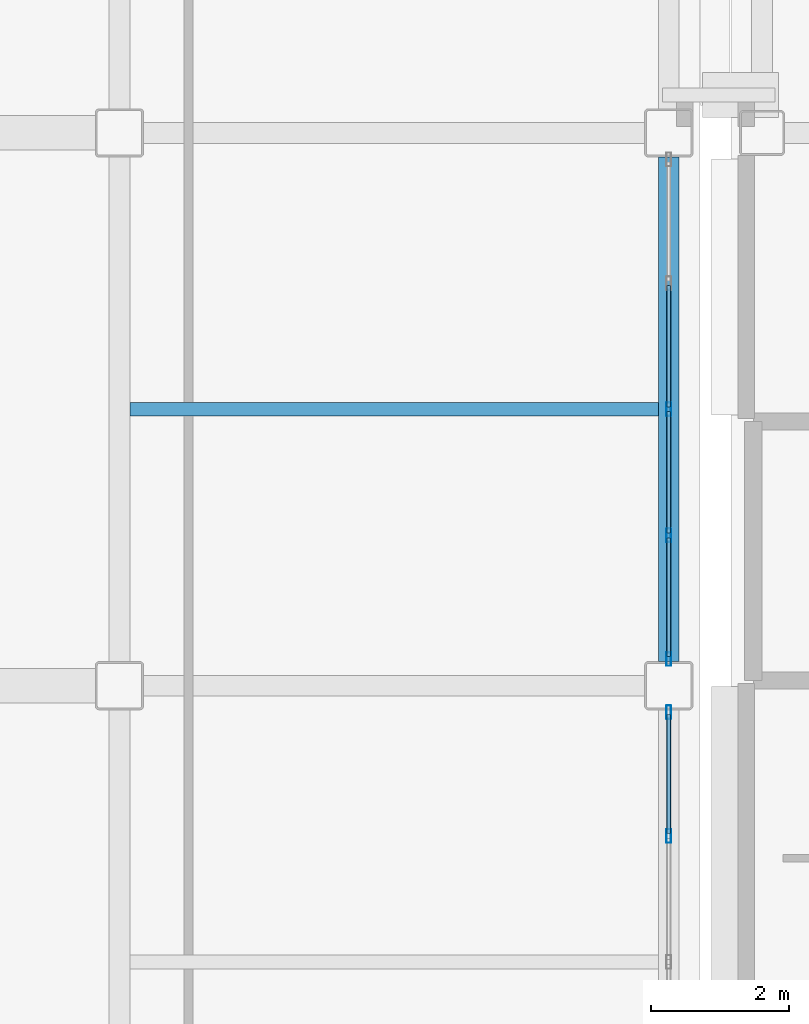
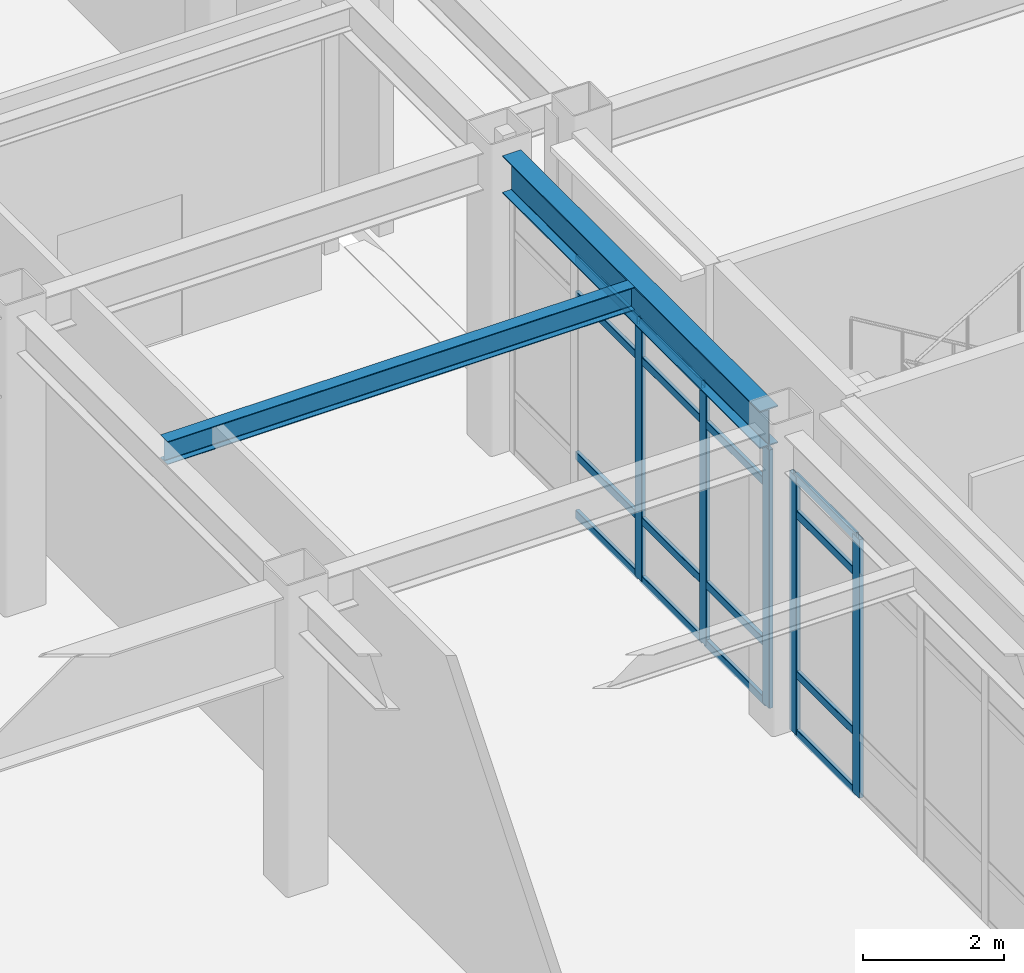
# One storey, part 18 of 165: 21 members, 2 beams, 2 elements without a shape of their own.
"""IFC4 building model written with IfcOpenShell, lengths in metres."""

from ifc_helpers import new_model, si_unit, direction, frame, origin, origin_2d, place, context, subcontext, project, spatial, hollow_rectangle, i_section, extrude, material, layer, layer_set, material_profile, profile_set, type_object, element, aggregate, save


model = new_model("IFC4")

# Units and contexts
model_context = context("Model", 3, precision=1e-05, world=origin(), true_north=direction((0.0, 1.0)))
body_context = subcontext(model_context, "Body", "Model", "MODEL_VIEW")
ifc_project = project(units=[si_unit("LENGTHUNIT", "METRE"), si_unit("AREAUNIT", "SQUARE_METRE"), si_unit("VOLUMEUNIT", "CUBIC_METRE"), si_unit("PLANEANGLEUNIT", "RADIAN"), si_unit("MASSUNIT", "GRAM", prefix="KILO")], contexts=[model_context])

# Site, building, storey
site_placement = place(None, origin())
site = spatial("IfcSite", under=ifc_project, at=site_placement, CompositionType="ELEMENT")
building_placement = place(site_placement, origin())
building = spatial("IfcBuilding", under=site, at=building_placement, Name="Kazehara Bluff Congress Hotel", CompositionType="ELEMENT")
storey_placement = place(building_placement, origin())
storey = spatial("IfcBuildingStorey", under=building, at=storey_placement, Name="L00", CompositionType="ELEMENT", Elevation=0.0)

# Curtain wall, members
ifc_material_1 = material(Name="Anodised aluminium", Category="aluminium")
ifc_layer = layer(ifc_material_1, 0.159912109375)
ifc_layer_set = layer_set([ifc_layer], Name="Anodised aluminium")
curtain_wall_type = type_object("IfcCurtainWallType", Name="TP-CW-32", PredefinedType="NOTDEFINED", material=ifc_layer_set)
curtain_wall_1_placement = place(storey_placement, origin())
curtain_wall_1 = element("IfcCurtainWall", 1, at=curtain_wall_1_placement, inside=storey, type_object=curtain_wall_type, Name="L00 curtain wall CW-32 CW-V2-L00-X5835-835", PredefinedType="NOTDEFINED")
ifc_material_2 = material(Name="Anodised aluminium", Category="aluminium")
ifc_material_profile_1 = material_profile(ifc_material_2, hollow_rectangle(XDim=0.070068359375, YDim=0.199951171875, WallThickness=0.0048828125, InnerFilletRadius=0.0048828125, OuterFilletRadius=0.010009765625, at=origin_2d()))
ifc_profile_set_1 = profile_set([ifc_material_profile_1], Name="Anodised aluminium")
member_type_1 = type_object("IfcMemberType", Name="TP-CWM-03", PredefinedType="MULLION", material=ifc_profile_set_1)
member_1_placement = place(storey_placement, frame((58.35009765625, 13.824951171875, 0.0), z_axis=(0.0, 0.0, 1.0), x_axis=(-1.0, 0.0, 0.0)))
member_1 = element("IfcMember", 2, at=member_1_placement, type_object=member_type_1, Name="CW-32 mullion 4", PredefinedType="MULLION", context=body_context, shape_type="SweptSolid", body=[
    extrude(hollow_rectangle(XDim=0.070068359375, YDim=0.199951171875, WallThickness=0.0048828125, InnerFilletRadius=0.0048828125, OuterFilletRadius=0.010009765625, at=origin_2d()), origin(), (0.0, 0.0, 1.0), 4.47509765625),
])
member_2_placement = place(storey_placement, frame((58.35009765625, 15.614990234375, 0.0), z_axis=(0.0, 0.0, 1.0), x_axis=(-1.0, 0.0, 0.0)))
member_2 = element("IfcMember", 3, at=member_2_placement, type_object=member_type_1, Name="CW-32 mullion 5", PredefinedType="MULLION", context=body_context, shape_type="SweptSolid", body=[
    extrude(hollow_rectangle(XDim=0.070068359375, YDim=0.199951171875, WallThickness=0.0048828125, InnerFilletRadius=0.0048828125, OuterFilletRadius=0.010009765625, at=origin_2d()), origin(), (0.0, 0.0, 1.0), 4.47509765625),
])

curtain_wall_2_placement = place(storey_placement, origin())
curtain_wall_2 = element("IfcCurtainWall", 4, at=curtain_wall_2_placement, inside=storey, type_object=curtain_wall_type, Name="L00 curtain wall CW-32 CW-V2-L00-X5835-1635", PredefinedType="NOTDEFINED")
member_3_placement = place(storey_placement, frame((58.35009765625, 16.385009765625, 0.0), z_axis=(0.0, 0.0, 1.0), x_axis=(-1.0, 0.0, 0.0)))
member_3 = element("IfcMember", 5, at=member_3_placement, type_object=member_type_1, Name="CW-32 mullion 1", PredefinedType="MULLION", context=body_context, shape_type="SweptSolid", body=[
    extrude(hollow_rectangle(XDim=0.070068359375, YDim=0.199951171875, WallThickness=0.0048828125, InnerFilletRadius=0.0048828125, OuterFilletRadius=0.010009765625, at=origin_2d()), origin(), (0.0, 0.0, 1.0), 4.47509765625),
])
member_4_placement = place(storey_placement, frame((58.35009765625, 18.175048828125, 0.0), z_axis=(0.0, 0.0, 1.0), x_axis=(-1.0, 0.0, 0.0)))
member_4 = element("IfcMember", 6, at=member_4_placement, type_object=member_type_1, Name="CW-32 mullion 2", PredefinedType="MULLION", context=body_context, shape_type="SweptSolid", body=[
    extrude(hollow_rectangle(XDim=0.070068359375, YDim=0.199951171875, WallThickness=0.0048828125, InnerFilletRadius=0.0048828125, OuterFilletRadius=0.010009765625, at=origin_2d()), origin(), (0.0, 0.0, 1.0), 4.47509765625),
])
member_5_placement = place(storey_placement, frame((58.35009765625, 20.0, 0.0), z_axis=(0.0, 0.0, 1.0), x_axis=(-1.0, 0.0, 0.0)))
member_5 = element("IfcMember", 7, at=member_5_placement, type_object=member_type_1, Name="CW-32 mullion 3", PredefinedType="MULLION", context=body_context, shape_type="SweptSolid", body=[
    extrude(hollow_rectangle(XDim=0.070068359375, YDim=0.199951171875, WallThickness=0.0048828125, InnerFilletRadius=0.0048828125, OuterFilletRadius=0.010009765625, at=origin_2d()), origin(), (0.0, 0.0, 1.0), 4.47509765625),
])

# Member
ifc_material_3 = material(Name="Anodised aluminium", Category="aluminium")
ifc_material_profile_2 = material_profile(ifc_material_3, hollow_rectangle(XDim=0.06494140625, YDim=0.139892578125, WallThickness=0.00390625, InnerFilletRadius=0.00390625, OuterFilletRadius=0.008056640625, at=origin_2d()))
ifc_profile_set_2 = profile_set([ifc_material_profile_2], Name="Anodised aluminium")
member_type_2 = type_object("IfcMemberType", Name="TP-CWT-02", PredefinedType="USERDEFINED", material=ifc_profile_set_2)
member_6_placement = place(storey_placement, frame((58.35009765625, 13.860107421875, 0.032470703125), z_axis=(0.0, 1.0, 0.0), x_axis=(-1.0, 0.0, 0.0)))
member_6 = element("IfcMember", 8, at=member_6_placement, type_object=member_type_2, Name="CW-32 transom 4.1", ObjectType="TRANSOM", PredefinedType="USERDEFINED", context=body_context, shape_type="SweptSolid", body=[
    extrude(hollow_rectangle(XDim=0.06494140625, YDim=0.139892578125, WallThickness=0.00390625, InnerFilletRadius=0.00390625, OuterFilletRadius=0.008056640625, at=origin_2d()), origin(), (0.0, 0.0, 1.0), 1.719970703125),
])

member_7_placement = place(storey_placement, frame((58.35009765625, 13.860107421875, 1.050048828125), z_axis=(0.0, 1.0, 0.0), x_axis=(-1.0, 0.0, 0.0)))
member_7 = element("IfcMember", 9, at=member_7_placement, type_object=member_type_2, Name="CW-32 transom 4.2", ObjectType="TRANSOM", PredefinedType="USERDEFINED", context=body_context, shape_type="SweptSolid", body=[
    extrude(hollow_rectangle(XDim=0.06494140625, YDim=0.139892578125, WallThickness=0.00390625, InnerFilletRadius=0.00390625, OuterFilletRadius=0.008056640625, at=origin_2d()), origin(), (0.0, 0.0, 1.0), 1.719970703125),
])

member_8_placement = place(storey_placement, frame((58.35009765625, 13.860107421875, 3.824951171875), z_axis=(0.0, 1.0, 0.0), x_axis=(-1.0, 0.0, 0.0)))
member_8 = element("IfcMember", 10, at=member_8_placement, type_object=member_type_2, Name="CW-32 transom 4.3", ObjectType="TRANSOM", PredefinedType="USERDEFINED", context=body_context, shape_type="SweptSolid", body=[
    extrude(hollow_rectangle(XDim=0.06494140625, YDim=0.139892578125, WallThickness=0.00390625, InnerFilletRadius=0.00390625, OuterFilletRadius=0.008056640625, at=origin_2d()), origin(), (0.0, 0.0, 1.0), 1.719970703125),
])

member_9_placement = place(storey_placement, frame((58.35009765625, 13.860107421875, 4.4423828125), z_axis=(0.0, 1.0, 0.0), x_axis=(-1.0, 0.0, 0.0)))
member_9 = element("IfcMember", 11, at=member_9_placement, type_object=member_type_2, Name="CW-32 transom 4.4", ObjectType="TRANSOM", PredefinedType="USERDEFINED", context=body_context, shape_type="SweptSolid", body=[
    extrude(hollow_rectangle(XDim=0.06494140625, YDim=0.139892578125, WallThickness=0.00390625, InnerFilletRadius=0.00390625, OuterFilletRadius=0.008056640625, at=origin_2d()), origin(), (0.0, 0.0, 1.0), 1.719970703125),
])

aggregate(curtain_wall_1, [member_1, member_2, member_6, member_7, member_8, member_9])

member_10_placement = place(storey_placement, frame((58.35009765625, 16.419921875, 0.032470703125), z_axis=(0.0, 1.0, 0.0), x_axis=(-1.0, 0.0, 0.0)))
member_10 = element("IfcMember", 12, at=member_10_placement, type_object=member_type_2, Name="CW-32 transom 1.1", ObjectType="TRANSOM", PredefinedType="USERDEFINED", context=body_context, shape_type="SweptSolid", body=[
    extrude(hollow_rectangle(XDim=0.06494140625, YDim=0.139892578125, WallThickness=0.00390625, InnerFilletRadius=0.00390625, OuterFilletRadius=0.008056640625, at=origin_2d()), origin(), (0.0, 0.0, 1.0), 1.719970703125),
])

member_11_placement = place(storey_placement, frame((58.35009765625, 16.419921875, 1.050048828125), z_axis=(0.0, 1.0, 0.0), x_axis=(-1.0, 0.0, 0.0)))
member_11 = element("IfcMember", 13, at=member_11_placement, type_object=member_type_2, Name="CW-32 transom 1.2", ObjectType="TRANSOM", PredefinedType="USERDEFINED", context=body_context, shape_type="SweptSolid", body=[
    extrude(hollow_rectangle(XDim=0.06494140625, YDim=0.139892578125, WallThickness=0.00390625, InnerFilletRadius=0.00390625, OuterFilletRadius=0.008056640625, at=origin_2d()), origin(), (0.0, 0.0, 1.0), 1.719970703125),
])

member_12_placement = place(storey_placement, frame((58.35009765625, 16.419921875, 3.824951171875), z_axis=(0.0, 1.0, 0.0), x_axis=(-1.0, 0.0, 0.0)))
member_12 = element("IfcMember", 14, at=member_12_placement, type_object=member_type_2, Name="CW-32 transom 1.3", ObjectType="TRANSOM", PredefinedType="USERDEFINED", context=body_context, shape_type="SweptSolid", body=[
    extrude(hollow_rectangle(XDim=0.06494140625, YDim=0.139892578125, WallThickness=0.00390625, InnerFilletRadius=0.00390625, OuterFilletRadius=0.008056640625, at=origin_2d()), origin(), (0.0, 0.0, 1.0), 1.719970703125),
])

member_13_placement = place(storey_placement, frame((58.35009765625, 16.419921875, 4.4423828125), z_axis=(0.0, 1.0, 0.0), x_axis=(-1.0, 0.0, 0.0)))
member_13 = element("IfcMember", 15, at=member_13_placement, type_object=member_type_2, Name="CW-32 transom 1.4", ObjectType="TRANSOM", PredefinedType="USERDEFINED", context=body_context, shape_type="SweptSolid", body=[
    extrude(hollow_rectangle(XDim=0.06494140625, YDim=0.139892578125, WallThickness=0.00390625, InnerFilletRadius=0.00390625, OuterFilletRadius=0.008056640625, at=origin_2d()), origin(), (0.0, 0.0, 1.0), 1.719970703125),
])

member_14_placement = place(storey_placement, frame((58.35009765625, 18.2099609375, 0.032470703125), z_axis=(0.0, 1.0, 0.0), x_axis=(-1.0, 0.0, 0.0)))
member_14 = element("IfcMember", 16, at=member_14_placement, type_object=member_type_2, Name="CW-32 transom 2.1", ObjectType="TRANSOM", PredefinedType="USERDEFINED", context=body_context, shape_type="SweptSolid", body=[
    extrude(hollow_rectangle(XDim=0.06494140625, YDim=0.139892578125, WallThickness=0.00390625, InnerFilletRadius=0.00390625, OuterFilletRadius=0.008056640625, at=origin_2d()), origin(), (0.0, 0.0, 1.0), 1.755126953125),
])

member_15_placement = place(storey_placement, frame((58.35009765625, 18.2099609375, 1.050048828125), z_axis=(0.0, 1.0, 0.0), x_axis=(-1.0, 0.0, 0.0)))
member_15 = element("IfcMember", 17, at=member_15_placement, type_object=member_type_2, Name="CW-32 transom 2.2", ObjectType="TRANSOM", PredefinedType="USERDEFINED", context=body_context, shape_type="SweptSolid", body=[
    extrude(hollow_rectangle(XDim=0.06494140625, YDim=0.139892578125, WallThickness=0.00390625, InnerFilletRadius=0.00390625, OuterFilletRadius=0.008056640625, at=origin_2d()), origin(), (0.0, 0.0, 1.0), 1.755126953125),
])

member_16_placement = place(storey_placement, frame((58.35009765625, 18.2099609375, 3.824951171875), z_axis=(0.0, 1.0, 0.0), x_axis=(-1.0, 0.0, 0.0)))
member_16 = element("IfcMember", 18, at=member_16_placement, type_object=member_type_2, Name="CW-32 transom 2.3", ObjectType="TRANSOM", PredefinedType="USERDEFINED", context=body_context, shape_type="SweptSolid", body=[
    extrude(hollow_rectangle(XDim=0.06494140625, YDim=0.139892578125, WallThickness=0.00390625, InnerFilletRadius=0.00390625, OuterFilletRadius=0.008056640625, at=origin_2d()), origin(), (0.0, 0.0, 1.0), 1.755126953125),
])

member_17_placement = place(storey_placement, frame((58.35009765625, 18.2099609375, 4.4423828125), z_axis=(0.0, 1.0, 0.0), x_axis=(-1.0, 0.0, 0.0)))
member_17 = element("IfcMember", 19, at=member_17_placement, type_object=member_type_2, Name="CW-32 transom 2.4", ObjectType="TRANSOM", PredefinedType="USERDEFINED", context=body_context, shape_type="SweptSolid", body=[
    extrude(hollow_rectangle(XDim=0.06494140625, YDim=0.139892578125, WallThickness=0.00390625, InnerFilletRadius=0.00390625, OuterFilletRadius=0.008056640625, at=origin_2d()), origin(), (0.0, 0.0, 1.0), 1.755126953125),
])

member_18_placement = place(storey_placement, frame((58.35009765625, 20.034912109375, 0.032470703125), z_axis=(0.0, 1.0, 0.0), x_axis=(-1.0, 0.0, 0.0)))
member_18 = element("IfcMember", 20, at=member_18_placement, type_object=member_type_2, Name="CW-32 transom 3.1", ObjectType="TRANSOM", PredefinedType="USERDEFINED", context=body_context, shape_type="SweptSolid", body=[
    extrude(hollow_rectangle(XDim=0.06494140625, YDim=0.139892578125, WallThickness=0.00390625, InnerFilletRadius=0.00390625, OuterFilletRadius=0.008056640625, at=origin_2d()), origin(), (0.0, 0.0, 1.0), 1.755126953125),
])

member_19_placement = place(storey_placement, frame((58.35009765625, 20.034912109375, 1.050048828125), z_axis=(0.0, 1.0, 0.0), x_axis=(-1.0, 0.0, 0.0)))
member_19 = element("IfcMember", 21, at=member_19_placement, type_object=member_type_2, Name="CW-32 transom 3.2", ObjectType="TRANSOM", PredefinedType="USERDEFINED", context=body_context, shape_type="SweptSolid", body=[
    extrude(hollow_rectangle(XDim=0.06494140625, YDim=0.139892578125, WallThickness=0.00390625, InnerFilletRadius=0.00390625, OuterFilletRadius=0.008056640625, at=origin_2d()), origin(), (0.0, 0.0, 1.0), 1.755126953125),
])

member_20_placement = place(storey_placement, frame((58.35009765625, 20.034912109375, 3.824951171875), z_axis=(0.0, 1.0, 0.0), x_axis=(-1.0, 0.0, 0.0)))
member_20 = element("IfcMember", 22, at=member_20_placement, type_object=member_type_2, Name="CW-32 transom 3.3", ObjectType="TRANSOM", PredefinedType="USERDEFINED", context=body_context, shape_type="SweptSolid", body=[
    extrude(hollow_rectangle(XDim=0.06494140625, YDim=0.139892578125, WallThickness=0.00390625, InnerFilletRadius=0.00390625, OuterFilletRadius=0.008056640625, at=origin_2d()), origin(), (0.0, 0.0, 1.0), 1.755126953125),
])

member_21_placement = place(storey_placement, frame((58.35009765625, 20.034912109375, 4.4423828125), z_axis=(0.0, 1.0, 0.0), x_axis=(-1.0, 0.0, 0.0)))
member_21 = element("IfcMember", 23, at=member_21_placement, type_object=member_type_2, Name="CW-32 transom 3.4", ObjectType="TRANSOM", PredefinedType="USERDEFINED", context=body_context, shape_type="SweptSolid", body=[
    extrude(hollow_rectangle(XDim=0.06494140625, YDim=0.139892578125, WallThickness=0.00390625, InnerFilletRadius=0.00390625, OuterFilletRadius=0.008056640625, at=origin_2d()), origin(), (0.0, 0.0, 1.0), 1.755126953125),
])

aggregate(curtain_wall_2, [member_3, member_4, member_5, member_10, member_11, member_12, member_13, member_14, member_15, member_16, member_17, member_18, member_19, member_20, member_21])

# Beams
ifc_material_4 = material(Name="Steel SN490B", Category="steel")
ifc_material_profile_3 = material_profile(ifc_material_4, i_section(OverallWidth=0.300048828125, OverallDepth=0.64990234375, WebThickness=0.011962890625, FlangeThickness=0.02001953125, FilletRadius=0.012939453125, at=origin_2d()))
ifc_profile_set_3 = profile_set([ifc_material_profile_3], Name="Steel SN490B")
beam_type_1 = type_object("IfcBeamType", Name="TP-G-03", PredefinedType="BEAM", material=ifc_profile_set_3)
beam_1_placement = place(storey_placement, frame((58.35009765625, 16.35009765625, 4.824951171875), z_axis=(0.0, 1.0, 0.0), x_axis=(-1.0, 0.0, 0.0)))
element("IfcBeam", 24, at=beam_1_placement, inside=storey, type_object=beam_type_1, Name="L00 girder G-03 67", PredefinedType="BEAM", context=body_context, shape_type="SweptSolid", body=[
    extrude(i_section(OverallWidth=0.300048828125, OverallDepth=0.64990234375, WebThickness=0.011962890625, FlangeThickness=0.02001953125, FilletRadius=0.012939453125, at=origin_2d()), origin(), (0.0, 0.0, 1.0), 7.2998046875),
])
ifc_material_5 = material(Name="Steel SN400B", Category="steel")
ifc_material_profile_4 = material_profile(ifc_material_5, i_section(OverallWidth=0.199951171875, OverallDepth=0.39990234375, WebThickness=0.008056640625, FlangeThickness=0.012939453125, FilletRadius=0.012939453125, at=origin_2d()))
ifc_profile_set_4 = profile_set([ifc_material_profile_4], Name="Steel SN400B")
beam_type_2 = type_object("IfcBeamType", Name="TP-J-03", PredefinedType="JOIST", material=ifc_profile_set_4)
beam_2_placement = place(storey_placement, frame((50.550048828125, 20.0, 4.949951171875), z_axis=(1.0, 0.0, 0.0), x_axis=(0.0, 1.0, 0.0)))
element("IfcBeam", 25, at=beam_2_placement, inside=storey, type_object=beam_type_2, Name="L00 secondary joist J-03 10", PredefinedType="JOIST", context=body_context, shape_type="SweptSolid", body=[
    extrude(i_section(OverallWidth=0.199951171875, OverallDepth=0.39990234375, WebThickness=0.008056640625, FlangeThickness=0.012939453125, FilletRadius=0.012939453125, at=origin_2d()), origin(), (0.0, 0.0, 1.0), 7.64990234375),
])

save(model, "model.ifc")
